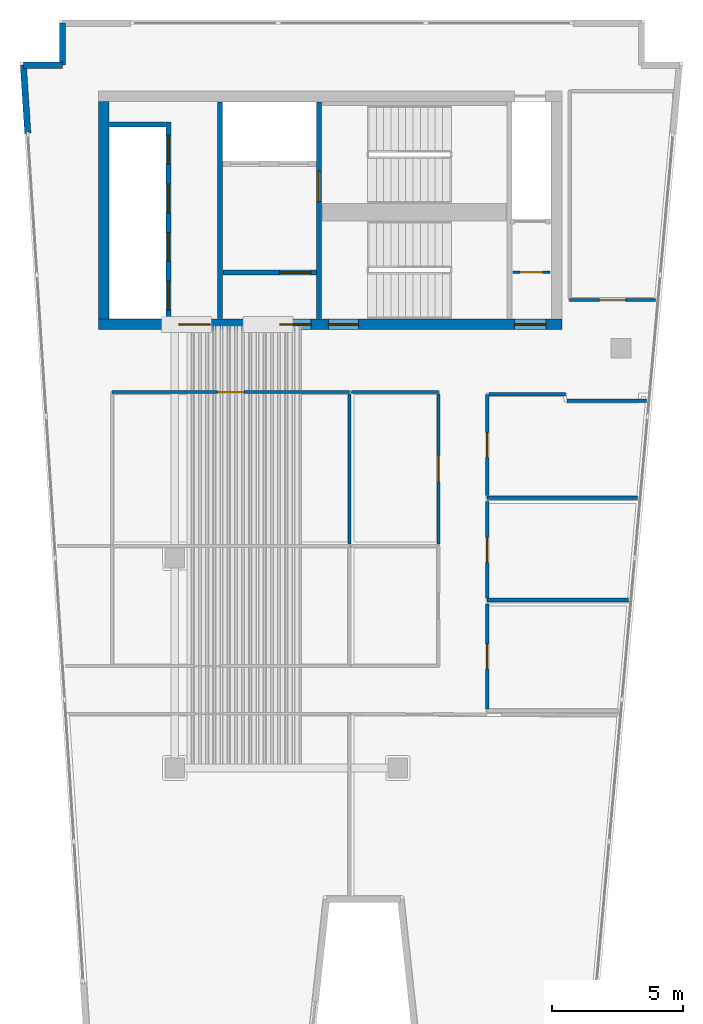
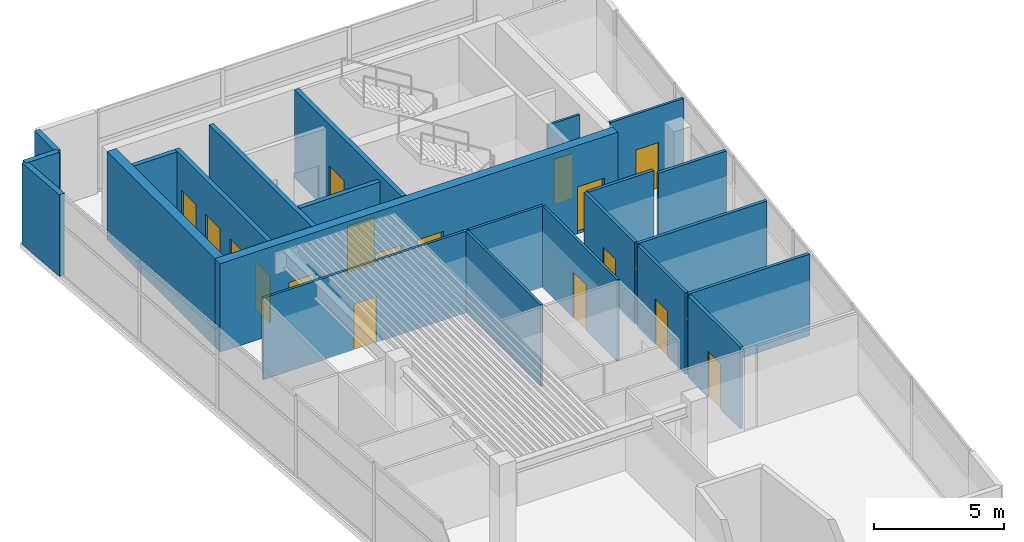
# One storey, part 4 of 7: 23 walls, 17 doors, 17 openings.
"""IFC4 building model written with IfcOpenShell, lengths in metres."""

from ifc_helpers import new_model, si_unit, direction, frame, frame_2d, origin, place, context, subcontext, project, spatial, rectangle, extrude, material, layer, layer_set, type_object, element, fill, save


model = new_model("IFC4")

# Units and contexts
model_context = context("Model", 3, precision=1e-05, world=origin(), true_north=direction((0.0, 1.0)))
body_context = subcontext(model_context, "Body", "Model", "MODEL_VIEW")
ifc_project = project(units=[si_unit("LENGTHUNIT", "METRE"), si_unit("AREAUNIT", "SQUARE_METRE"), si_unit("VOLUMEUNIT", "CUBIC_METRE"), si_unit("PLANEANGLEUNIT", "RADIAN"), si_unit("MASSUNIT", "GRAM", prefix="KILO")], contexts=[model_context])

# Site, building, storey
site_placement = place(None, origin())
site = spatial("IfcSite", under=ifc_project, at=site_placement, CompositionType="ELEMENT")
building_placement = place(site_placement, origin())
building = spatial("IfcBuilding", under=site, at=building_placement, Name="Caeloran Harvest Quay", CompositionType="ELEMENT")
storey_placement = place(building_placement, frame((0.0, 0.0, 319.89990234375)))
storey = spatial("IfcBuildingStorey", under=building, at=storey_placement, Name="L77", CompositionType="ELEMENT", Elevation=319.89990234375)

# Walls
ifc_material_1 = material(Name="Precast concrete C50/60", Category="concrete")
ifc_layer_1 = layer(ifc_material_1, 0.239990234375, Name="Precast concrete C50/60")
ifc_layer_set_1 = layer_set([ifc_layer_1], Name="Precast concrete C50/60")
wall_type_1 = type_object("IfcWallType", Name="ENV-WALL-EW-240", PredefinedType="STANDARD", material=ifc_layer_set_1)
wall_1_placement = place(storey_placement, frame((2.902099609375, 39.185546875, 0.0), z_axis=(0.0, 0.0, 1.0), x_axis=(-0.065166541347, 0.997874401861, 0.0)))
element("IfcWall", 1, at=wall_1_placement, inside=storey, type_object=wall_type_1, Name="L77 Exterior Facade Corner Pier Wall 3B", PredefinedType="STANDARD", context=body_context, shape_type="SweptSolid", body=[
    extrude(rectangle(XDim=2.60009765625, YDim=0.239990234375, at=frame_2d((1.300048828125, 0.0))), origin(), (0.0, 0.0, 1.0), 3.830078125),
])
wall_2_placement = place(storey_placement, frame((2.732666015625, 41.780029296875, 0.0), z_axis=(0.0, 0.0, 1.0), x_axis=(1.0, 0.0, 0.0)))
element("IfcWall", 2, at=wall_2_placement, inside=storey, type_object=wall_type_1, Name="L77 Exterior Precast Concrete Facade Wall 4", PredefinedType="STANDARD", context=body_context, shape_type="SweptSolid", body=[
    extrude(rectangle(XDim=1.4873046875, YDim=0.239990234375, at=frame_2d((0.74365234375, 0.0))), origin(), (0.0, 0.0, 1.0), 3.830078125),
])
wall_3_placement = place(storey_placement, frame((4.219970703125, 41.780029296875, 0.0), z_axis=(0.0, 0.0, 1.0), x_axis=(0.0, 1.0, 0.0)))
element("IfcWall", 3, at=wall_3_placement, inside=storey, type_object=wall_type_1, Name="L77 Exterior Precast Concrete Facade Wall 5", PredefinedType="STANDARD", context=body_context, shape_type="SweptSolid", body=[
    extrude(rectangle(XDim=1.599853515625, YDim=0.239990234375, at=frame_2d((0.7998046875, 0.0))), origin(), (0.0, 0.0, 1.0), 3.830078125),
])

# Wall, opening, door
ifc_material_2 = material(Name="Fire-Resisting Gypsum Core Riser Partition", Category="gypsum")
ifc_layer_2 = layer(ifc_material_2, 0.10009765625, Name="Fire-Resisting Gypsum Core Riser Partition")
ifc_layer_set_2 = layer_set([ifc_layer_2], Name="Fire-Resisting Gypsum Core Riser Partition")
wall_type_2 = type_object("IfcWallType", Name="INT-WALL-PW-100", PredefinedType="PARTITIONING", material=ifc_layer_set_2)
wall_4_placement = place(storey_placement, frame((21.3798828125, 33.889892578125, 0.0), z_axis=(0.0, 0.0, 1.0), x_axis=(1.0, 0.0, 0.0)))
wall_4 = element("IfcWall", 4, at=wall_4_placement, inside=storey, type_object=wall_type_2, Name="L77 Cleaner Store Partition Wall", PredefinedType="PARTITIONING", context=body_context, shape_type="SweptSolid", body=[
    extrude(rectangle(XDim=1.420166015625, YDim=0.10009765625, at=frame_2d((0.7099609375, 0.0))), origin(), (0.0, 0.0, 1.0), 3.830078125),
])
opening_1_placement = place(wall_4_placement, frame((0.280029296875, 0.0, 0.0)))
opening_1 = element("IfcOpeningElement", 5, at=opening_1_placement, cuts=wall_4, Name="Opening SV-01", PredefinedType="OPENING", context=body_context, shape_type="SweptSolid", body=[
    extrude(rectangle(XDim=0.85009765625, YDim=2.10009765625, at=frame_2d((0.425048828125, 1.050048828125))), frame((0.0, 0.06005859375, 0.0), z_axis=(0.0, -1.0, 0.0), x_axis=(1.0, 0.0, 0.0)), (0.0, 0.0, 1.0), 0.1201171875),
])
ifc_material_3 = material(Name="Galvanized Painted Steel", Category="steel")
door_type_1 = type_object("IfcDoorType", Name="INTDOOR-SV-01", OperationType="NOTDEFINED", PredefinedType="DOOR", material=ifc_material_3)
door_1_placement = place(opening_1_placement, origin())
door_1 = element("IfcDoor", 6, at=door_1_placement, inside=storey, type_object=door_type_1, Name="L77 Cleaner Supply Store Access Door", OperationType="SINGLE_SWING_RIGHT", OverallHeight=2.10009765625, OverallWidth=0.85009765625, PredefinedType="DOOR", context=body_context, shape_type="SweptSolid", body=[
    extrude(rectangle(XDim=0.85009765625, YDim=2.10009765625, at=frame_2d((0.425048828125, 1.050048828125))), frame((0.0, 0.02490234375, 0.0), z_axis=(0.0, -1.0, 0.0), x_axis=(1.0, 0.0, 0.0)), (0.0, 0.0, 1.0), 0.050048828125),
])
fill(opening_1, door_1)

ifc_material_4 = material(Name="Single-Stud Acoustic Gypsum Office Partition", Category="gypsum")
ifc_layer_3 = layer(ifc_material_4, 0.112060546875, Name="Single-Stud Acoustic Gypsum Office Partition")
ifc_layer_set_3 = layer_set([ifc_layer_3], Name="Single-Stud Acoustic Gypsum Office Partition")
wall_type_3 = type_object("IfcWallType", Name="INT-WALL-PW-112", PredefinedType="PARTITIONING", material=ifc_layer_set_3)
wall_5_placement = place(storey_placement, frame((26.812744140625, 32.840087890625, 0.0), z_axis=(0.0, 0.0, 1.0), x_axis=(-1.0, 0.0, 0.0)))
wall_5 = element("IfcWall", 7, at=wall_5_placement, inside=storey, type_object=wall_type_3, Name="L77 Bioinformatics and Crop Phenotyping Laboratory Partition Wall", PredefinedType="PARTITIONING", context=body_context, shape_type="SweptSolid", body=[
    extrude(rectangle(XDim=3.272705078125, YDim=0.112060546875, at=frame_2d((1.63623046875, 0.0))), origin(), (0.0, 0.0, 1.0), 3.830078125),
])
opening_2_placement = place(wall_5_placement, frame((1.136474609375, 0.0, 0.0)))
opening_2 = element("IfcOpeningElement", 8, at=opening_2_placement, cuts=wall_5, Name="Opening ID-01", PredefinedType="OPENING", context=body_context, shape_type="SweptSolid", body=[
    extrude(rectangle(XDim=1.0, YDim=2.14990234375, at=frame_2d((0.5, 1.074951171875))), frame((0.0, 0.06591796875, 0.0), z_axis=(0.0, -1.0, 0.0), x_axis=(1.0, 0.0, 0.0)), (0.0, 0.0, 1.0), 0.132080078125),
])
ifc_material_5 = material(Name="FSC Solid-Core Ash Timber and Acoustic Seal", Category="wood")
door_type_2 = type_object("IfcDoorType", Name="INTDOOR-ID-01", OperationType="NOTDEFINED", PredefinedType="DOOR", material=ifc_material_5)
door_2_placement = place(opening_2_placement, origin())
door_2 = element("IfcDoor", 9, at=door_2_placement, inside=storey, type_object=door_type_2, Name="L77 Bioinformatics and Crop Phenotyping Laboratory Access Door", OperationType="SINGLE_SWING_LEFT", OverallHeight=2.14990234375, OverallWidth=1.0, PredefinedType="DOOR", context=body_context, shape_type="SweptSolid", body=[
    extrude(rectangle(XDim=1.0, YDim=2.14990234375, at=frame_2d((0.5, 1.074951171875))), frame((0.0, 0.02490234375, 0.0), z_axis=(0.0, -1.0, 0.0), x_axis=(1.0, 0.0, 0.0)), (0.0, 0.0, 1.0), 0.050048828125),
])
fill(opening_2, door_2)

wall_6_placement = place(storey_placement, frame((6.110107421875, 29.320068359375, 0.0), z_axis=(0.0, 0.0, 1.0), x_axis=(1.0, 0.0, 0.0)))
wall_6 = element("IfcWall", 10, at=wall_6_placement, inside=storey, type_object=wall_type_3, Name="Artisanal Tea Kitchen Partition Wall", PredefinedType="PARTITIONING", context=body_context, shape_type="SweptSolid", body=[
    extrude(rectangle(XDim=9.0498046875, YDim=0.112060546875, at=frame_2d((4.52490234375, 0.0))), origin(), (0.0, 0.0, 1.0), 3.830078125),
])
opening_3_placement = place(wall_6_placement, frame((4.02490234375, 0.0, 0.0)))
opening_3 = element("IfcOpeningElement", 11, at=opening_3_placement, cuts=wall_6, Name="Opening ID-01", PredefinedType="OPENING", context=body_context, shape_type="SweptSolid", body=[
    extrude(rectangle(XDim=1.0, YDim=2.14990234375, at=frame_2d((0.5, 1.074951171875))), frame((0.0, 0.06591796875, 0.0), z_axis=(0.0, -1.0, 0.0), x_axis=(1.0, 0.0, 0.0)), (0.0, 0.0, 1.0), 0.132080078125),
])
door_3_placement = place(opening_3_placement, origin())
door_3 = element("IfcDoor", 12, at=door_3_placement, inside=storey, type_object=door_type_2, Name="Artisanal Tea Kitchen Access Door", OperationType="SINGLE_SWING_LEFT", OverallHeight=2.14990234375, OverallWidth=1.0, PredefinedType="DOOR", context=body_context, shape_type="SweptSolid", body=[
    extrude(rectangle(XDim=1.0, YDim=2.14990234375, at=frame_2d((0.5, 1.074951171875))), frame((0.0, 0.02490234375, 0.0), z_axis=(0.0, -1.0, 0.0), x_axis=(1.0, 0.0, 0.0)), (0.0, 0.0, 1.0), 0.050048828125),
])
fill(opening_3, door_3)

# Walls
wall_7_placement = place(storey_placement, frame((15.159912109375, 29.259033203125, 0.0), z_axis=(0.0, 0.0, 1.0), x_axis=(0.0, -1.0, 0.0)))
element("IfcWall", 13, at=wall_7_placement, inside=storey, type_object=wall_type_3, Name="Artisanal Tea Kitchen Partition Wall", PredefinedType="PARTITIONING", context=body_context, shape_type="SweptSolid", body=[
    extrude(rectangle(XDim=5.718994140625, YDim=0.112060546875, at=frame_2d((2.859375, 0.0))), origin(), (0.0, 0.0, 1.0), 3.830078125),
])
wall_8_placement = place(storey_placement, frame((15.239990234375, 29.320068359375, 0.0), z_axis=(0.0, 0.0, 1.0), x_axis=(1.0, 0.0, 0.0)))
element("IfcWall", 14, at=wall_8_placement, inside=storey, type_object=wall_type_3, Name="Curator Archive Laboratory Partition Wall", PredefinedType="PARTITIONING", context=body_context, shape_type="SweptSolid", body=[
    extrude(rectangle(XDim=3.31005859375, YDim=0.112060546875, at=frame_2d((1.655029296875, 0.0))), origin(), (0.0, 0.0, 1.0), 3.830078125),
])

# Wall, opening, door
wall_9_placement = place(storey_placement, frame((18.550048828125, 29.259033203125, 0.0), z_axis=(0.0, 0.0, 1.0), x_axis=(0.0, -1.0, 0.0)))
wall_9 = element("IfcWall", 15, at=wall_9_placement, inside=storey, type_object=wall_type_3, Name="Curator Archive Laboratory Partition Wall", PredefinedType="PARTITIONING", context=body_context, shape_type="SweptSolid", body=[
    extrude(rectangle(XDim=5.718994140625, YDim=0.112060546875, at=frame_2d((2.859375, 0.0))), origin(), (0.0, 0.0, 1.0), 3.830078125),
])
opening_4_placement = place(wall_9_placement, frame((2.359619140625, 0.0, 0.0)))
opening_4 = element("IfcOpeningElement", 16, at=opening_4_placement, cuts=wall_9, Name="Opening ID-01", PredefinedType="OPENING", context=body_context, shape_type="SweptSolid", body=[
    extrude(rectangle(XDim=1.0, YDim=2.14990234375, at=frame_2d((0.5, 1.074951171875))), frame((0.0, 0.06591796875, 0.0), z_axis=(0.0, -1.0, 0.0), x_axis=(1.0, 0.0, 0.0)), (0.0, 0.0, 1.0), 0.132080078125),
])
door_4_placement = place(opening_4_placement, origin())
door_4 = element("IfcDoor", 17, at=door_4_placement, inside=storey, type_object=door_type_2, Name="Curator Archive Laboratory Access Door", OperationType="SINGLE_SWING_RIGHT", OverallHeight=2.14990234375, OverallWidth=1.0, PredefinedType="DOOR", context=body_context, shape_type="SweptSolid", body=[
    extrude(rectangle(XDim=1.0, YDim=2.14990234375, at=frame_2d((0.5, 1.074951171875))), frame((0.0, 0.02490234375, 0.0), z_axis=(0.0, -1.0, 0.0), x_axis=(1.0, 0.0, 0.0)), (0.0, 0.0, 1.0), 0.050048828125),
])
fill(opening_4, door_4)

# Walls
ifc_material_6 = material(Name="Moisture-Resistant Cement-Board Sanitary Partition", Category="gypsum")
ifc_layer_4 = layer(ifc_material_6, 0.139892578125, Name="Moisture-Resistant Cement-Board Sanitary Partition")
ifc_layer_set_4 = layer_set([ifc_layer_4], Name="Moisture-Resistant Cement-Board Sanitary Partition")
wall_type_4 = type_object("IfcWallType", Name="INT-WALL-PW-140", PredefinedType="PARTITIONING", material=ifc_layer_set_4)
wall_10_placement = place(storey_placement, frame((23.449951171875, 28.989990234375, 0.0), z_axis=(0.0, 0.0, 1.0), x_axis=(1.0, 0.0, 0.0)))
element("IfcWall", 18, at=wall_10_placement, inside=storey, type_object=wall_type_4, Name="L77 Male Washroom WC Partition Wall", PredefinedType="PARTITIONING", context=body_context, shape_type="SweptSolid", body=[
    extrude(rectangle(XDim=3.015625, YDim=0.139892578125, at=frame_2d((1.5078125, 0.0))), origin(), (0.0, 0.0, 1.0), 3.830078125),
])
wall_11_placement = place(storey_placement, frame((26.1328125, 25.300048828125, 0.0), z_axis=(0.0, 0.0, 1.0), x_axis=(-1.0, 0.0, 0.0)))
element("IfcWall", 19, at=wall_11_placement, inside=storey, type_object=wall_type_4, Name="L77 Male Washroom WC Partition Wall", PredefinedType="PARTITIONING", context=body_context, shape_type="SweptSolid", body=[
    extrude(rectangle(XDim=5.73291015625, YDim=0.139892578125, at=frame_2d((2.866455078125, 0.0))), origin(), (0.0, 0.0, 1.0), 3.830078125),
])

# Wall, opening, door
wall_12_placement = place(storey_placement, frame((20.39990234375, 25.375, 0.0), z_axis=(0.0, 0.0, 1.0), x_axis=(0.0, 1.0, 0.0)))
wall_12 = element("IfcWall", 20, at=wall_12_placement, inside=storey, type_object=wall_type_4, Name="L77 Male Washroom WC Partition Wall", PredefinedType="PARTITIONING", context=body_context, shape_type="SweptSolid", body=[
    extrude(rectangle(XDim=3.864990234375, YDim=0.139892578125, at=frame_2d((1.9326171875, 0.0))), origin(), (0.0, 0.0, 1.0), 3.830078125),
])
opening_5_placement = place(wall_12_placement, frame((1.45751953125, 0.0, 0.0)))
opening_5 = element("IfcOpeningElement", 21, at=opening_5_placement, cuts=wall_12, Name="Opening WC-01", PredefinedType="OPENING", context=body_context, shape_type="SweptSolid", body=[
    extrude(rectangle(XDim=0.949951171875, YDim=2.14990234375, at=frame_2d((0.47509765625, 1.074951171875))), frame((0.0, 0.080078125, 0.0), z_axis=(0.0, -1.0, 0.0), x_axis=(1.0, 0.0, 0.0)), (0.0, 0.0, 1.0), 0.159912109375),
])
ifc_material_7 = material(Name="High-Pressure Laminate Moisture-Resistant Timber", Category="wood")
door_type_3 = type_object("IfcDoorType", Name="INTDOOR-WC-01", OperationType="NOTDEFINED", PredefinedType="DOOR", material=ifc_material_7)
door_5_placement = place(opening_5_placement, origin())
door_5 = element("IfcDoor", 22, at=door_5_placement, inside=storey, type_object=door_type_3, Name="L77 Male Washroom WC Access Door", OperationType="SINGLE_SWING_RIGHT", OverallHeight=2.14990234375, OverallWidth=0.949951171875, PredefinedType="DOOR", context=body_context, shape_type="SweptSolid", body=[
    extrude(rectangle(XDim=0.949951171875, YDim=2.14990234375, at=frame_2d((0.47509765625, 1.074951171875))), frame((0.0, 0.02490234375, 0.0), z_axis=(0.0, -1.0, 0.0), x_axis=(1.0, 0.0, 0.0)), (0.0, 0.0, 1.0), 0.050048828125),
])
fill(opening_5, door_5)

# Walls
wall_13_placement = place(storey_placement, frame((20.47509765625, 29.239990234375, 0.0), z_axis=(0.0, 0.0, 1.0), x_axis=(1.0, 0.0, 0.0)))
element("IfcWall", 23, at=wall_13_placement, inside=storey, type_object=wall_type_4, Name="L77 Male Washroom WC Partition Wall", PredefinedType="PARTITIONING", context=body_context, shape_type="SweptSolid", body=[
    extrude(rectangle(XDim=2.914794921875, YDim=0.139892578125, at=frame_2d((1.45751953125, 0.0))), origin(), (0.0, 0.0, 1.0), 3.830078125),
])
wall_14_placement = place(storey_placement, frame((25.781005859375, 21.39990234375, 0.0), z_axis=(0.0, 0.0, 1.0), x_axis=(-1.0, 0.0, 0.0)))
element("IfcWall", 24, at=wall_14_placement, inside=storey, type_object=wall_type_4, Name="L77 Female Washroom WC Partition Wall", PredefinedType="PARTITIONING", context=body_context, shape_type="SweptSolid", body=[
    extrude(rectangle(XDim=5.381103515625, YDim=0.139892578125, at=frame_2d((2.6904296875, 0.0))), origin(), (0.0, 0.0, 1.0), 3.830078125),
])

# Wall, opening, door
wall_15_placement = place(storey_placement, frame((20.39990234375, 21.47509765625, 0.0), z_axis=(0.0, 0.0, 1.0), x_axis=(0.0, 1.0, 0.0)))
wall_15 = element("IfcWall", 25, at=wall_15_placement, inside=storey, type_object=wall_type_4, Name="L77 Female Washroom WC Partition Wall", PredefinedType="PARTITIONING", context=body_context, shape_type="SweptSolid", body=[
    extrude(rectangle(XDim=3.6748046875, YDim=0.139892578125, at=frame_2d((1.83740234375, 0.0))), origin(), (0.0, 0.0, 1.0), 3.830078125),
])
opening_6_placement = place(wall_15_placement, frame((1.362548828125, 0.0, 0.0)))
opening_6 = element("IfcOpeningElement", 26, at=opening_6_placement, cuts=wall_15, Name="Opening WC-01", PredefinedType="OPENING", context=body_context, shape_type="SweptSolid", body=[
    extrude(rectangle(XDim=0.949951171875, YDim=2.14990234375, at=frame_2d((0.47509765625, 1.074951171875))), frame((0.0, 0.080078125, 0.0), z_axis=(0.0, -1.0, 0.0), x_axis=(1.0, 0.0, 0.0)), (0.0, 0.0, 1.0), 0.159912109375),
])
door_6_placement = place(opening_6_placement, origin())
door_6 = element("IfcDoor", 27, at=door_6_placement, inside=storey, type_object=door_type_3, Name="L77 Female Washroom WC Access Door", OperationType="SINGLE_SWING_LEFT", OverallHeight=2.14990234375, OverallWidth=0.949951171875, PredefinedType="DOOR", context=body_context, shape_type="SweptSolid", body=[
    extrude(rectangle(XDim=0.949951171875, YDim=2.14990234375, at=frame_2d((0.47509765625, 1.074951171875))), frame((0.0, 0.02490234375, 0.0), z_axis=(0.0, -1.0, 0.0), x_axis=(1.0, 0.0, 0.0)), (0.0, 0.0, 1.0), 0.050048828125),
])
fill(opening_6, door_6)

wall_16_placement = place(storey_placement, frame((20.39990234375, 17.2548828125, 0.0), z_axis=(0.0, 0.0, 1.0), x_axis=(0.0, 1.0, 0.0)))
wall_16 = element("IfcWall", 28, at=wall_16_placement, inside=storey, type_object=wall_type_4, Name="L77 Accessible Unisex Washroom WC Partition Wall", PredefinedType="PARTITIONING", context=body_context, shape_type="SweptSolid", body=[
    extrude(rectangle(XDim=3.9951171875, YDim=0.139892578125, at=frame_2d((1.99755859375, 0.0))), origin(), (0.0, 0.0, 1.0), 3.830078125),
])
opening_7_placement = place(wall_16_placement, frame((1.5224609375, 0.0, 0.0)))
opening_7 = element("IfcOpeningElement", 29, at=opening_7_placement, cuts=wall_16, Name="Opening WC-01", PredefinedType="OPENING", context=body_context, shape_type="SweptSolid", body=[
    extrude(rectangle(XDim=0.949951171875, YDim=2.14990234375, at=frame_2d((0.47509765625, 1.074951171875))), frame((0.0, 0.080078125, 0.0), z_axis=(0.0, -1.0, 0.0), x_axis=(1.0, 0.0, 0.0)), (0.0, 0.0, 1.0), 0.159912109375),
])
door_7_placement = place(opening_7_placement, origin())
door_7 = element("IfcDoor", 30, at=door_7_placement, inside=storey, type_object=door_type_3, Name="L77 Accessible Unisex Washroom WC Access Door", OperationType="SINGLE_SWING_RIGHT", OverallHeight=2.14990234375, OverallWidth=0.949951171875, PredefinedType="DOOR", context=body_context, shape_type="SweptSolid", body=[
    extrude(rectangle(XDim=0.949951171875, YDim=2.14990234375, at=frame_2d((0.47509765625, 1.074951171875))), frame((0.0, 0.02490234375, 0.0), z_axis=(0.0, -1.0, 0.0), x_axis=(1.0, 0.0, 0.0)), (0.0, 0.0, 1.0), 0.050048828125),
])
fill(opening_7, door_7)

# Wall, openings, doors
ifc_material_8 = material(Name="Concrete C50/60", Category="concrete")
ifc_layer_5 = layer(ifc_material_8, 0.199951171875, Name="Concrete C50/60")
ifc_layer_set_5 = layer_set([ifc_layer_5], Name="Concrete C50/60")
wall_type_5 = type_object("IfcWallType", Name="INT-WALL-SW-200", PredefinedType="PARTITIONING", material=ifc_layer_set_5)
wall_17_placement = place(storey_placement, frame((8.260009765625, 32.1201171875, 0.0), z_axis=(0.0, 0.0, 1.0), x_axis=(0.0, 1.0, 0.0)))
wall_17 = element("IfcWall", 31, at=wall_17_placement, inside=storey, type_object=wall_type_5, Name="L77 Bank 3 Lift Shaft Wall", PredefinedType="PARTITIONING", context=body_context, shape_type="SweptSolid", body=[
    extrude(rectangle(XDim=7.5, YDim=0.199951171875, at=frame_2d((3.75, 0.0))), origin(), (0.0, 0.0, 1.0), 3.830078125),
])
opening_8_placement = place(wall_17_placement, frame((0.330078125, 0.0, 0.0)))
opening_8 = element("IfcOpeningElement", 32, at=opening_8_placement, cuts=wall_17, Name="Opening LD-01", PredefinedType="OPENING", context=body_context, shape_type="SweptSolid", body=[
    extrude(rectangle(XDim=1.10009765625, YDim=2.199951171875, at=frame_2d((0.550048828125, 1.10009765625))), frame((0.0, 0.10986328125, 0.0), z_axis=(0.0, -1.0, 0.0), x_axis=(1.0, 0.0, 0.0)), (0.0, 0.0, 1.0), 0.219970703125),
])
opening_9_placement = place(wall_17_placement, frame((2.179931640625, 0.0, 0.0)))
opening_9 = element("IfcOpeningElement", 33, at=opening_9_placement, cuts=wall_17, Name="Opening LD-01", PredefinedType="OPENING", context=body_context, shape_type="SweptSolid", body=[
    extrude(rectangle(XDim=1.10009765625, YDim=2.199951171875, at=frame_2d((0.550048828125, 1.10009765625))), frame((0.0, 0.10986328125, 0.0), z_axis=(0.0, -1.0, 0.0), x_axis=(1.0, 0.0, 0.0)), (0.0, 0.0, 1.0), 0.219970703125),
])
opening_10_placement = place(wall_17_placement, frame((4.030029296875, 0.0, 0.0)))
opening_10 = element("IfcOpeningElement", 34, at=opening_10_placement, cuts=wall_17, Name="Opening LD-01", PredefinedType="OPENING", context=body_context, shape_type="SweptSolid", body=[
    extrude(rectangle(XDim=1.10009765625, YDim=2.199951171875, at=frame_2d((0.550048828125, 1.10009765625))), frame((0.0, 0.10986328125, 0.0), z_axis=(0.0, -1.0, 0.0), x_axis=(1.0, 0.0, 0.0)), (0.0, 0.0, 1.0), 0.219970703125),
])
opening_11_placement = place(wall_17_placement, frame((5.8798828125, 0.0, 0.0)))
opening_11 = element("IfcOpeningElement", 35, at=opening_11_placement, cuts=wall_17, Name="Opening LD-01", PredefinedType="OPENING", context=body_context, shape_type="SweptSolid", body=[
    extrude(rectangle(XDim=1.10009765625, YDim=2.199951171875, at=frame_2d((0.550048828125, 1.10009765625))), frame((0.0, 0.10986328125, 0.0), z_axis=(0.0, -1.0, 0.0), x_axis=(1.0, 0.0, 0.0)), (0.0, 0.0, 1.0), 0.219970703125),
])
ifc_material_9 = material(Name="Stainless Steel Grade 316", Category="steel")
door_type_4 = type_object("IfcDoorType", Name="INTDOOR-LD-01", OperationType="NOTDEFINED", PredefinedType="DOOR", material=ifc_material_9)
door_8_placement = place(opening_8_placement, origin())
door_8 = element("IfcDoor", 36, at=door_8_placement, inside=storey, type_object=door_type_4, Name="Lift P3-1 Sliding Landing Door (L77)", OperationType="DOUBLE_DOOR_SLIDING", OverallHeight=2.199951171875, OverallWidth=1.10009765625, PredefinedType="DOOR", context=body_context, shape_type="SweptSolid", body=[
    extrude(rectangle(XDim=1.10009765625, YDim=2.199951171875, at=frame_2d((0.550048828125, 1.10009765625))), frame((0.0, 0.02490234375, 0.0), z_axis=(0.0, -1.0, 0.0), x_axis=(1.0, 0.0, 0.0)), (0.0, 0.0, 1.0), 0.050048828125),
])
fill(opening_8, door_8)
door_9_placement = place(opening_9_placement, origin())
door_9 = element("IfcDoor", 37, at=door_9_placement, inside=storey, type_object=door_type_4, Name="Lift P3-2 Sliding Landing Door (L77)", OperationType="DOUBLE_DOOR_SLIDING", OverallHeight=2.199951171875, OverallWidth=1.10009765625, PredefinedType="DOOR", context=body_context, shape_type="SweptSolid", body=[
    extrude(rectangle(XDim=1.10009765625, YDim=2.199951171875, at=frame_2d((0.550048828125, 1.10009765625))), frame((0.0, 0.02490234375, 0.0), z_axis=(0.0, -1.0, 0.0), x_axis=(1.0, 0.0, 0.0)), (0.0, 0.0, 1.0), 0.050048828125),
])
fill(opening_9, door_9)
door_10_placement = place(opening_10_placement, origin())
door_10 = element("IfcDoor", 38, at=door_10_placement, inside=storey, type_object=door_type_4, Name="Lift P3-3 Sliding Landing Door (L77)", OperationType="DOUBLE_DOOR_SLIDING", OverallHeight=2.199951171875, OverallWidth=1.10009765625, PredefinedType="DOOR", context=body_context, shape_type="SweptSolid", body=[
    extrude(rectangle(XDim=1.10009765625, YDim=2.199951171875, at=frame_2d((0.550048828125, 1.10009765625))), frame((0.0, 0.02490234375, 0.0), z_axis=(0.0, -1.0, 0.0), x_axis=(1.0, 0.0, 0.0)), (0.0, 0.0, 1.0), 0.050048828125),
])
fill(opening_10, door_10)
door_11_placement = place(opening_11_placement, origin())
door_11 = element("IfcDoor", 39, at=door_11_placement, inside=storey, type_object=door_type_4, Name="Lift P3-4 Sliding Landing Door (L77)", OperationType="DOUBLE_DOOR_SLIDING", OverallHeight=2.199951171875, OverallWidth=1.10009765625, PredefinedType="DOOR", context=body_context, shape_type="SweptSolid", body=[
    extrude(rectangle(XDim=1.10009765625, YDim=2.199951171875, at=frame_2d((0.550048828125, 1.10009765625))), frame((0.0, 0.02490234375, 0.0), z_axis=(0.0, -1.0, 0.0), x_axis=(1.0, 0.0, 0.0)), (0.0, 0.0, 1.0), 0.050048828125),
])
fill(opening_11, door_11)

# Walls
wall_18_placement = place(storey_placement, frame((6.02001953125, 39.52001953125, 0.0), z_axis=(0.0, 0.0, 1.0), x_axis=(1.0, 0.0, 0.0)))
element("IfcWall", 40, at=wall_18_placement, inside=storey, type_object=wall_type_5, Name="L77 Bank 3 Lift Shaft North End Wall", PredefinedType="PARTITIONING", context=body_context, shape_type="SweptSolid", body=[
    extrude(rectangle(XDim=2.119873046875, YDim=0.199951171875, at=frame_2d((1.06005859375, 0.0))), origin(), (0.0, 0.0, 1.0), 3.830078125),
])
wall_19_placement = place(storey_placement, frame((10.219970703125, 32.1201171875, 0.0), z_axis=(0.0, 0.0, 1.0), x_axis=(0.0, 1.0, 0.0)))
element("IfcWall", 41, at=wall_19_placement, inside=storey, type_object=wall_type_5, Name="L77 Core Lobby Compartment Wall", PredefinedType="PARTITIONING", context=body_context, shape_type="SweptSolid", body=[
    extrude(rectangle(XDim=8.259765625, YDim=0.199951171875, at=frame_2d((4.1298828125, 0.0))), origin(), (0.0, 0.0, 1.0), 3.830078125),
])

# Wall, opening, door
wall_20_placement = place(storey_placement, frame((10.340087890625, 33.8798828125, 0.0), z_axis=(0.0, 0.0, 1.0), x_axis=(1.0, 0.0, 0.0)))
wall_20 = element("IfcWall", 42, at=wall_20_placement, inside=storey, type_object=wall_type_5, Name="L77 Firefighting Lift Lobby Enclosure Wall", PredefinedType="PARTITIONING", context=body_context, shape_type="SweptSolid", body=[
    extrude(rectangle(XDim=3.559814453125, YDim=0.199951171875, at=frame_2d((1.77978515625, 0.0))), origin(), (0.0, 0.0, 1.0), 3.830078125),
])
opening_12_placement = place(wall_20_placement, frame((2.14990234375, 0.0, 0.0)))
opening_12 = element("IfcOpeningElement", 43, at=opening_12_placement, cuts=wall_20, Name="Opening FD-01", PredefinedType="OPENING", context=body_context, shape_type="SweptSolid", body=[
    extrude(rectangle(XDim=1.199951171875, YDim=2.199951171875, at=frame_2d((0.60009765625, 1.10009765625))), frame((0.0, 0.10986328125, 0.0), z_axis=(0.0, -1.0, 0.0), x_axis=(1.0, 0.0, 0.0)), (0.0, 0.0, 1.0), 0.219970703125),
])
ifc_material_10 = material(Name="Steel", Category="steel")
door_type_5 = type_object("IfcDoorType", Name="INTDOOR-FD-01", OperationType="NOTDEFINED", PredefinedType="DOOR", material=ifc_material_10)
door_12_placement = place(opening_12_placement, origin())
door_12 = element("IfcDoor", 44, at=door_12_placement, inside=storey, type_object=door_type_5, Name="L77 Firefighting Lift Lobby Smoke-Seal Fire Door", OperationType="SINGLE_SWING_RIGHT", OverallHeight=2.199951171875, OverallWidth=1.199951171875, PredefinedType="DOOR", context=body_context, shape_type="SweptSolid", body=[
    extrude(rectangle(XDim=1.199951171875, YDim=2.199951171875, at=frame_2d((0.60009765625, 1.10009765625))), frame((0.0, 0.02490234375, 0.0), z_axis=(0.0, -1.0, 0.0), x_axis=(1.0, 0.0, 0.0)), (0.0, 0.0, 1.0), 0.050048828125),
])
fill(opening_12, door_12)

# Wall, openings, doors
ifc_material_11 = material(Name="Concrete C60/75", Category="concrete")
ifc_layer_6 = layer(ifc_material_11, 0.39990234375, Name="Concrete C60/75")
ifc_layer_set_6 = layer_set([ifc_layer_6], Name="Concrete C60/75")
wall_type_6 = type_object("IfcWallType", Name="STR-WALL-CW-400", PredefinedType="SHEAR", material=ifc_layer_set_6)
wall_21_placement = place(storey_placement, frame((5.60009765625, 31.89990234375, 0.0), z_axis=(0.0, 0.0, 1.0), x_axis=(1.0, 0.0, 0.0)))
wall_21 = element("IfcWall", 45, at=wall_21_placement, inside=storey, type_object=wall_type_6, Name="L77 Rear Core Shear Wall S", PredefinedType="SHEAR", context=body_context, shape_type="SweptSolid", body=[
    extrude(rectangle(XDim=17.64990234375, YDim=0.39990234375, at=frame_2d((8.824951171875, 0.0))), origin(), (0.0, 0.0, 1.0), 4.150146484375),
])
opening_13_placement = place(wall_21_placement, frame((3.050048828125, 0.0, 0.0)))
opening_13 = element("IfcOpeningElement", 46, at=opening_13_placement, cuts=wall_21, Name="Opening FD-01", PredefinedType="OPENING", context=body_context, shape_type="SweptSolid", body=[
    extrude(rectangle(XDim=1.199951171875, YDim=2.199951171875, at=frame_2d((0.60009765625, 1.10009765625))), frame((0.0, 0.2099609375, 0.0), z_axis=(0.0, -1.0, 0.0), x_axis=(1.0, 0.0, 0.0)), (0.0, 0.0, 1.0), 0.419921875),
])
opening_14_placement = place(wall_21_placement, frame((6.89990234375, 0.0, 0.0)))
opening_14 = element("IfcOpeningElement", 47, at=opening_14_placement, cuts=wall_21, Name="Opening FD-01", PredefinedType="OPENING", context=body_context, shape_type="SweptSolid", body=[
    extrude(rectangle(XDim=1.199951171875, YDim=2.199951171875, at=frame_2d((0.60009765625, 1.10009765625))), frame((0.0, 0.2099609375, 0.0), z_axis=(0.0, -1.0, 0.0), x_axis=(1.0, 0.0, 0.0)), (0.0, 0.0, 1.0), 0.419921875),
])
opening_15_placement = place(wall_21_placement, frame((8.75, 0.0, 0.0)))
opening_15 = element("IfcOpeningElement", 48, at=opening_15_placement, cuts=wall_21, Name="Opening SD-01", PredefinedType="OPENING", context=body_context, shape_type="SweptSolid", body=[
    extrude(rectangle(XDim=1.14990234375, YDim=2.199951171875, at=frame_2d((0.574951171875, 1.10009765625))), frame((0.0, 0.2099609375, 0.0), z_axis=(0.0, -1.0, 0.0), x_axis=(1.0, 0.0, 0.0)), (0.0, 0.0, 1.0), 0.419921875),
])
opening_16_placement = place(wall_21_placement, frame((15.85009765625, 0.0, 0.0)))
opening_16 = element("IfcOpeningElement", 49, at=opening_16_placement, cuts=wall_21, Name="Opening FD-01", PredefinedType="OPENING", context=body_context, shape_type="SweptSolid", body=[
    extrude(rectangle(XDim=1.199951171875, YDim=2.199951171875, at=frame_2d((0.60009765625, 1.10009765625))), frame((0.0, 0.2099609375, 0.0), z_axis=(0.0, -1.0, 0.0), x_axis=(1.0, 0.0, 0.0)), (0.0, 0.0, 1.0), 0.419921875),
])
door_13_placement = place(opening_13_placement, origin())
door_13 = element("IfcDoor", 50, at=door_13_placement, inside=storey, type_object=door_type_5, Name="L77 High-Rise Lift Lobby Fire Door", OperationType="SINGLE_SWING_RIGHT", OverallHeight=2.199951171875, OverallWidth=1.199951171875, PredefinedType="DOOR", context=body_context, shape_type="SweptSolid", body=[
    extrude(rectangle(XDim=1.199951171875, YDim=2.199951171875, at=frame_2d((0.60009765625, 1.10009765625))), frame((0.0, 0.02490234375, 0.0), z_axis=(0.0, -1.0, 0.0), x_axis=(1.0, 0.0, 0.0)), (0.0, 0.0, 1.0), 0.050048828125),
])
fill(opening_13, door_13)
door_14_placement = place(opening_14_placement, origin())
door_14 = element("IfcDoor", 51, at=door_14_placement, inside=storey, type_object=door_type_5, Name="L77 Firefighting Lobby Vestibule Fire Door", OperationType="SINGLE_SWING_LEFT", OverallHeight=2.199951171875, OverallWidth=1.199951171875, PredefinedType="DOOR", context=body_context, shape_type="SweptSolid", body=[
    extrude(rectangle(XDim=1.199951171875, YDim=2.199951171875, at=frame_2d((0.60009765625, 1.10009765625))), frame((0.0, 0.02490234375, 0.0), z_axis=(0.0, -1.0, 0.0), x_axis=(1.0, 0.0, 0.0)), (0.0, 0.0, 1.0), 0.050048828125),
])
fill(opening_14, door_14)
door_15_placement = place(opening_16_placement, origin())
door_15 = element("IfcDoor", 52, at=door_15_placement, inside=storey, type_object=door_type_5, Name="L77 Service Lift Lobby Fire Door", OperationType="SINGLE_SWING_LEFT", OverallHeight=2.199951171875, OverallWidth=1.199951171875, PredefinedType="DOOR", context=body_context, shape_type="SweptSolid", body=[
    extrude(rectangle(XDim=1.199951171875, YDim=2.199951171875, at=frame_2d((0.60009765625, 1.10009765625))), frame((0.0, 0.02490234375, 0.0), z_axis=(0.0, -1.0, 0.0), x_axis=(1.0, 0.0, 0.0)), (0.0, 0.0, 1.0), 0.050048828125),
])
fill(opening_16, door_15)
door_type_6 = type_object("IfcDoorType", Name="INTDOOR-SD-01", OperationType="NOTDEFINED", PredefinedType="DOOR", material=ifc_material_10)
door_16_placement = place(opening_15_placement, origin())
door_16 = element("IfcDoor", 53, at=door_16_placement, inside=storey, type_object=door_type_6, Name="L77 Protected Stair ST-C2 Exit Door", OperationType="SINGLE_SWING_RIGHT", OverallHeight=2.199951171875, OverallWidth=1.14990234375, PredefinedType="DOOR", context=body_context, shape_type="SweptSolid", body=[
    extrude(rectangle(XDim=1.14990234375, YDim=2.199951171875, at=frame_2d((0.574951171875, 1.10009765625))), frame((0.0, 0.02490234375, 0.0), z_axis=(0.0, -1.0, 0.0), x_axis=(1.0, 0.0, 0.0)), (0.0, 0.0, 1.0), 0.050048828125),
])
fill(opening_15, door_16)

# Wall
wall_22_placement = place(storey_placement, frame((5.800048828125, 32.10009765625, 0.0), z_axis=(0.0, 0.0, 1.0), x_axis=(0.0, 1.0, 0.0)))
element("IfcWall", 54, at=wall_22_placement, inside=storey, type_object=wall_type_6, Name="L77 Rear Core Shear Wall W", PredefinedType="SHEAR", context=body_context, shape_type="SweptSolid", body=[
    extrude(rectangle(XDim=8.2998046875, YDim=0.39990234375, at=frame_2d((4.14990234375, 0.0))), origin(), (0.0, 0.0, 1.0), 4.150146484375),
])

# Wall, opening, door
ifc_layer_7 = layer(ifc_material_11, 0.199951171875, Name="Concrete C60/75")
ifc_layer_set_7 = layer_set([ifc_layer_7], Name="Concrete C60/75")
wall_type_7 = type_object("IfcWallType", Name="STR-WALL-SW-200", PredefinedType="SHEAR", material=ifc_layer_set_7)
wall_23_placement = place(storey_placement, frame((14.0, 32.1201171875, 0.0), z_axis=(0.0, 0.0, 1.0), x_axis=(0.0, 1.0, 0.0)))
wall_23 = element("IfcWall", 55, at=wall_23_placement, inside=storey, type_object=wall_type_7, Name="L77 Core Stair Shaft West Shear Wall", PredefinedType="SHEAR", context=body_context, shape_type="SweptSolid", body=[
    extrude(rectangle(XDim=8.259765625, YDim=0.199951171875, at=frame_2d((4.1298828125, 0.0))), origin(), (0.0, 0.0, 1.0), 4.150146484375),
])
opening_17_placement = place(wall_23_placement, frame((4.4599609375, 0.0, 0.0)))
opening_17 = element("IfcOpeningElement", 56, at=opening_17_placement, cuts=wall_23, Name="Opening SD-01", PredefinedType="OPENING", context=body_context, shape_type="SweptSolid", body=[
    extrude(rectangle(XDim=1.14990234375, YDim=2.199951171875, at=frame_2d((0.574951171875, 1.10009765625))), frame((0.0, 0.10986328125, 0.0), z_axis=(0.0, -1.0, 0.0), x_axis=(1.0, 0.0, 0.0)), (0.0, 0.0, 1.0), 0.219970703125),
])
door_17_placement = place(opening_17_placement, origin())
door_17 = element("IfcDoor", 57, at=door_17_placement, inside=storey, type_object=door_type_6, Name="L77 Protected Stair ST-C1 Exit Door", OperationType="SINGLE_SWING_LEFT", OverallHeight=2.199951171875, OverallWidth=1.14990234375, PredefinedType="DOOR", context=body_context, shape_type="SweptSolid", body=[
    extrude(rectangle(XDim=1.14990234375, YDim=2.199951171875, at=frame_2d((0.574951171875, 1.10009765625))), frame((0.0, 0.02490234375, 0.0), z_axis=(0.0, -1.0, 0.0), x_axis=(1.0, 0.0, 0.0)), (0.0, 0.0, 1.0), 0.050048828125),
])
fill(opening_17, door_17)

save(model, "model.ifc")
